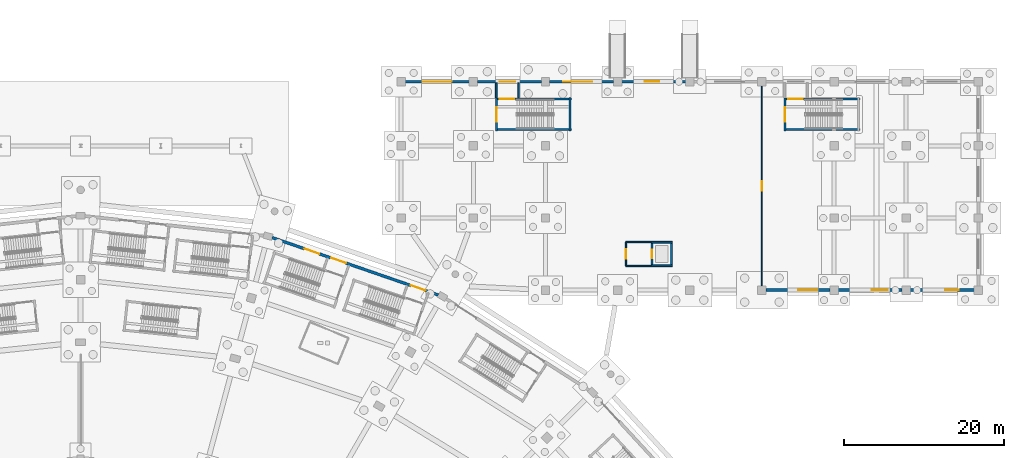
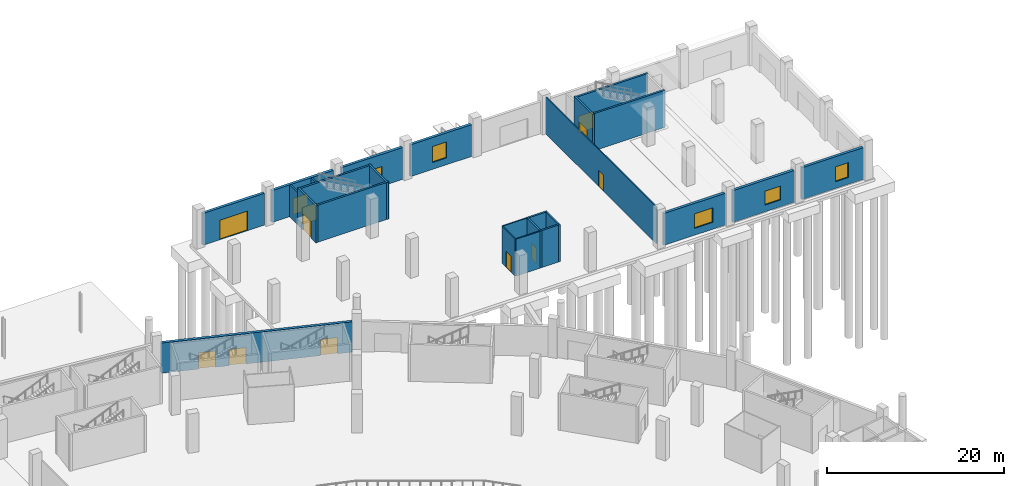
# One storey, part 48 of 103: 25 walls, 13 doors, 4 windows, 17 openings.
"""IFC4 building model written with IfcOpenShell, lengths in metres."""

import ifcopenshell
import ifcopenshell.guid

model = None  # the IFC model being written
_history = None  # IfcOwnerHistory: only IFC2X3 demands one
_inside = {}  # id of a spatial element -> (the spatial element, [elements in it])
_under = {}  # id of a project, library or spatial element -> (it, [spatial elements below it])
_declared = {}  # id of a project -> (the project, [libraries it declares])
_typed = {}  # id of a type object -> (the type object, [elements of that type])
_made_of = {}  # id of a material, layer set ... -> (it, [elements and type objects made of it])


def new_model(schema):
    """Start an empty IFC model of exactly this schema.

    Asked for "IFC4X3", IfcOpenShell would pick the latest addendum, in which some entities
    have other attributes; the version numbers below select the first issue.
    IFC2X3 requires an IfcOwnerHistory on every rooted entity: one is made here for all.
    """
    global model, _history
    if schema == "IFC4X3":
        model = ifcopenshell.file(schema_version=(4, 3, 0, 0))
    else:
        model = ifcopenshell.file(schema=schema)
    _inside.clear()
    _under.clear()
    _declared.clear()
    _typed.clear()
    _made_of.clear()
    _history = None
    if model.schema == "IFC2X3":
        org = make("IfcOrganization", Name="unknown")
        user = make(
            "IfcPersonAndOrganization",
            ThePerson=make("IfcPerson", FamilyName="unknown"),
            TheOrganization=org,
        )
        app = make(
            "IfcApplication",
            ApplicationDeveloper=org,
            Version="unknown",
            ApplicationFullName="unknown",
            ApplicationIdentifier="unknown",
        )
        _history = make(
            "IfcOwnerHistory",
            OwningUser=user,
            OwningApplication=app,
            ChangeAction="ADDED",
            CreationDate=0,
        )
    return model


def make(cls, **values):
    """One entity of the class cls with the attributes given. An attribute that is None is left unset."""
    return model.create_entity(
        cls, **{name: value for name, value in values.items() if value is not None}
    )


def rooted(cls, **values):
    """An entity with a GlobalId (a new one), such as an element, a storey or a relation."""
    return make(cls, GlobalId=ifcopenshell.guid.new(), OwnerHistory=_history, **values)


def si_unit(unit_type, name, prefix=None):
    """IfcSIUnit, for example si_unit("LENGTHUNIT", "METRE", prefix="MILLI")."""
    return make("IfcSIUnit", UnitType=unit_type, Prefix=prefix, Name=name)


def assignment(units):
    """IfcUnitAssignment: the units of a project."""
    return None if units is None else make("IfcUnitAssignment", Units=units)


def point(xyz):
    """IfcCartesianPoint."""
    return None if xyz is None else make("IfcCartesianPoint", Coordinates=xyz)


def direction(xyz):
    """IfcDirection."""
    return None if xyz is None else make("IfcDirection", DirectionRatios=xyz)


def frame(location, z_axis=None, x_axis=None):
    """IfcAxis2Placement3D, a coordinate frame: its origin and axes. An axis left out is left unset."""
    return make(
        "IfcAxis2Placement3D",
        Location=point(location),
        Axis=direction(z_axis),
        RefDirection=direction(x_axis),
    )


def frame_2d(location, x_axis=None):
    """IfcAxis2Placement2D, a coordinate frame in the plane: its origin and x axis."""
    return make(
        "IfcAxis2Placement2D", Location=point(location), RefDirection=direction(x_axis)
    )


def origin():
    """The frame at (0, 0, 0) with its axes left unset."""
    return frame((0.0, 0.0, 0.0))


def place(relative_to, where):
    """IfcLocalPlacement: puts the frame where relative to a parent placement (None: the world)."""
    return make(
        "IfcLocalPlacement", PlacementRelTo=relative_to, RelativePlacement=where
    )


def context(
    kind, dimensions, precision=None, world=None, true_north=None, identifier=None
):
    """IfcGeometricRepresentationContext, for example the 3D "Model" context."""
    return make(
        "IfcGeometricRepresentationContext",
        ContextIdentifier=identifier,
        ContextType=kind,
        CoordinateSpaceDimension=dimensions,
        Precision=precision,
        WorldCoordinateSystem=world,
        TrueNorth=true_north,
    )


def subcontext(parent, identifier, kind, view, scale=None):
    """IfcGeometricRepresentationSubContext, for example "Body" below "Model"."""
    return make(
        "IfcGeometricRepresentationSubContext",
        ContextIdentifier=identifier,
        ContextType=kind,
        ParentContext=parent,
        TargetScale=scale,
        TargetView=view,
    )


def project(units=None, contexts=None):
    """IfcProject with its units and contexts."""
    return rooted(
        "IfcProject",
        Name="project",
        RepresentationContexts=contexts,
        UnitsInContext=assignment(units),
    )


def spatial(cls, under=None, at=None, **own):
    """A site, building, storey or space (cls), placed at a placement, below another one or the project."""
    s = rooted(cls, ObjectPlacement=at, **own)
    if under is not None:
        _under.setdefault(under.id(), (under, []))[1].append(s)
    return s


def profile(cls, at=None, kind="AREA", **sizes):
    """A parametric profile (cls). Its sizes go by their IFC names, for example OverallWidth=200.0."""
    return make(cls, ProfileType=kind, Position=at, **sizes)


def rectangle(**sizes):
    """IfcRectangleProfileDef."""
    return profile("IfcRectangleProfileDef", **sizes)


def extrude(swept, where, along, depth):
    """IfcExtrudedAreaSolid: the profile swept, set in the frame where, extruded along a direction by depth."""
    return make(
        "IfcExtrudedAreaSolid",
        SweptArea=swept,
        Position=where,
        ExtrudedDirection=direction(along),
        Depth=depth,
    )


def shape(context_of_items, identifier, shape_type, items):
    """IfcShapeRepresentation: the items that make up one representation, for example the "Body"."""
    return make(
        "IfcShapeRepresentation",
        ContextOfItems=context_of_items,
        RepresentationIdentifier=identifier,
        RepresentationType=shape_type,
        Items=items,
    )


def material(Name=None, Category=None):
    """IfcMaterial."""
    return make("IfcMaterial", Name=Name, Category=Category)


def layer(
    of_material, thickness, ventilated=None, Name=None, Category=None, Priority=None
):
    """IfcMaterialLayer: one layer of a wall or slab, of a material (None: an air gap)."""
    return make(
        "IfcMaterialLayer",
        Material=of_material,
        LayerThickness=thickness,
        IsVentilated=ventilated,
        Name=Name,
        Category=Category,
        Priority=Priority,
    )


def layer_set(layers, Name=None):
    """IfcMaterialLayerSet."""
    return make("IfcMaterialLayerSet", MaterialLayers=layers, LayerSetName=Name)


def made_of(thing, what):
    """Note that an element or type object is made of a material, layer set ...; save() writes the relation."""
    if what is not None:
        _made_of.setdefault(what.id(), (what, []))[1].append(thing)
    return thing


def type_object(cls, material=None, **own):
    """A type object (cls), such as IfcWallType, which elements share."""
    return made_of(rooted(cls, **own), material)


def element(
    cls,
    number,
    at=None,
    inside=None,
    cuts=None,
    type_object=None,
    material=None,
    context=None,
    identifier="Body",
    shape_type=None,
    held_by="IfcProductDefinitionShape",
    body=None,
    shapes=None,
    **own,
):
    """One element of the class cls, such as IfcWall. Its Tag is "e" and its number.

    at: its placement. inside: the storey or other place that contains it. cuts: it is an
    opening in that element (IfcRelVoidsElement). A single representation is given by context,
    identifier, shape_type and body (its items); several are given by shapes. held_by: the class
    of the entity that holds the representations. save() writes the other relations.
    """
    e = rooted(cls, Tag="e%d" % number, ObjectPlacement=at, **own)
    if body is not None:
        shapes = [shape(context, identifier, shape_type, body)]
    if shapes is not None:
        e.Representation = make(held_by, Representations=shapes)
    if inside is not None:
        _inside.setdefault(inside.id(), (inside, []))[1].append(e)
    if cuts is not None:
        rooted(
            "IfcRelVoidsElement", RelatingBuildingElement=cuts, RelatedOpeningElement=e
        )
    if type_object is not None:
        _typed.setdefault(type_object.id(), (type_object, []))[1].append(e)
    return made_of(e, material)


def fill(opening, filler):
    """IfcRelFillsElement: the door or window that sits in an opening."""
    return rooted(
        "IfcRelFillsElement",
        RelatingOpeningElement=opening,
        RelatedBuildingElement=filler,
    )


def aggregate(whole, parts):
    """IfcRelAggregates: a whole, such as a stair, and the parts it consists of."""
    return rooted("IfcRelAggregates", RelatingObject=whole, RelatedObjects=parts)


def save(model, path):
    """Write the relations noted so far, then the file.

    IfcRelAggregates (storeys below a building ...), IfcRelContainedInSpatialStructure (elements
    in a storey), IfcRelDefinesByType, IfcRelAssociatesMaterial and IfcRelDeclares: one each for
    every whole, place, type object, material and project.
    """
    for whole, parts in _under.values():
        aggregate(whole, parts)
    for where, things in _inside.values():
        rooted(
            "IfcRelContainedInSpatialStructure",
            RelatedElements=things,
            RelatingStructure=where,
        )
    for kind, things in _typed.values():
        rooted("IfcRelDefinesByType", RelatedObjects=things, RelatingType=kind)
    for what, things in _made_of.values():
        rooted("IfcRelAssociatesMaterial", RelatedObjects=things, RelatingMaterial=what)
    for by, libraries in _declared.values():
        rooted("IfcRelDeclares", RelatingContext=by, RelatedDefinitions=libraries)
    model.write(path)


model = new_model("IFC4")

# Units and contexts
model_context = context("Model", 3, precision=1e-05, world=origin(), true_north=direction((0.0, 1.0)))
body_context = subcontext(model_context, "Body", "Model", "MODEL_VIEW")
ifc_project = project(units=[si_unit("LENGTHUNIT", "METRE"), si_unit("AREAUNIT", "SQUARE_METRE"), si_unit("VOLUMEUNIT", "CUBIC_METRE"), si_unit("PLANEANGLEUNIT", "RADIAN"), si_unit("MASSUNIT", "GRAM", prefix="KILO")], contexts=[model_context])

# Site, building, storey
site_placement = place(None, origin())
site = spatial("IfcSite", under=ifc_project, at=site_placement, CompositionType="ELEMENT")
building_placement = place(site_placement, origin())
building = spatial("IfcBuilding", under=site, at=building_placement, Name="Zevraka Park Crest Stadium", CompositionType="ELEMENT")
storey_placement = place(building_placement, origin())
storey = spatial("IfcBuildingStorey", under=building, at=storey_placement, Name="L00", CompositionType="ELEMENT", Elevation=0.0)

# Wall, openings, doors
ifc_material_1 = material(Name="Limestone and red clay brick masonry", Category="masonry")
ifc_layer_1 = layer(ifc_material_1, 0.35009765625)
ifc_layer_set_1 = layer_set([ifc_layer_1], Name="Limestone and red clay brick masonry")
wall_type_1 = type_object("IfcWallType", Name="EW01", PredefinedType="STANDARD", material=ifc_layer_set_1)
wall_1_placement = place(storey_placement, frame((135.868896484375, 164.56201171875, 0.0), z_axis=(0.0, 0.0, 1.0), x_axis=(0.945215757663, -0.326446276538, 0.0)))
wall_1 = element("IfcWall", 1, at=wall_1_placement, inside=storey, type_object=wall_type_1, Name="L00 Pointed-Arch Colonnade Wall EW01 04", PredefinedType="STANDARD", context=body_context, shape_type="SweptSolid", body=[
    extrude(rectangle(XDim=21.979248046875, YDim=0.35009765625, at=frame_2d((10.98974609375, 0.0))), origin(), (0.0, 0.0, 1.0), 4.1650390625),
])
opening_1_placement = place(wall_1_placement, frame((18.318115234375, 0.0, 0.0)))
opening_1 = element("IfcOpeningElement", 2, at=opening_1_placement, cuts=wall_1, Name="Opening D-L00-EX-ST05", PredefinedType="OPENING", context=body_context, shape_type="SweptSolid", body=[
    extrude(rectangle(XDim=1.949951171875, YDim=2.25, at=frame_2d((0.97509765625, 1.125))), frame((0.0, 0.18505859375, 0.0), z_axis=(0.0, -1.0, 0.0), x_axis=(1.0, 0.0, 0.0)), (0.0, 0.0, 1.0), 0.3701171875),
])
opening_2_placement = place(wall_1_placement, frame((7.818115234375, 0.0, 0.0)))
opening_2 = element("IfcOpeningElement", 3, at=opening_2_placement, cuts=wall_1, Name="Opening D-L00-EX-ST25", PredefinedType="OPENING", context=body_context, shape_type="SweptSolid", body=[
    extrude(rectangle(XDim=1.949951171875, YDim=2.25, at=frame_2d((0.97509765625, 1.125))), frame((0.0, 0.18505859375, 0.0), z_axis=(0.0, -1.0, 0.0), x_axis=(1.0, 0.0, 0.0)), (0.0, 0.0, 1.0), 0.3701171875),
])
opening_3_placement = place(wall_1_placement, frame((4.300048828125, 0.0, 0.0)))
opening_3 = element("IfcOpeningElement", 4, at=opening_3_placement, cuts=wall_1, Name="Opening D-L00-E05", PredefinedType="OPENING", context=body_context, shape_type="SweptSolid", body=[
    extrude(rectangle(XDim=1.949951171875, YDim=2.25, at=frame_2d((0.97509765625, 1.125))), frame((0.0, 0.18505859375, 0.0), z_axis=(0.0, -1.0, 0.0), x_axis=(1.0, 0.0, 0.0)), (0.0, 0.0, 1.0), 0.3701171875),
])
ifc_material_2 = material(Name="Thermally broken architectural aluminium and safety glass", Category="aluminium")
door_type_1 = type_object("IfcDoorType", Name="ED05", OperationType="NOTDEFINED", PredefinedType="DOOR", material=ifc_material_2)
door_1_placement = place(opening_1_placement, origin())
door_1 = element("IfcDoor", 5, at=door_1_placement, inside=storey, type_object=door_type_1, Name="Stair Final Exit Discharge Door D-L00-EX-ST05", OperationType="DOUBLE_DOOR_SINGLE_SWING", OverallHeight=2.25, OverallWidth=1.949951171875, PredefinedType="DOOR", context=body_context, shape_type="SweptSolid", body=[
    extrude(rectangle(XDim=1.949951171875, YDim=2.25, at=frame_2d((0.97509765625, 1.125))), frame((0.0, 0.02490234375, 0.0), z_axis=(0.0, -1.0, 0.0), x_axis=(1.0, 0.0, 0.0)), (0.0, 0.0, 1.0), 0.050048828125),
])
fill(opening_1, door_1)
door_2_placement = place(opening_2_placement, origin())
door_2 = element("IfcDoor", 6, at=door_2_placement, inside=storey, type_object=door_type_1, Name="Stair Final Exit Discharge Door D-L00-EX-ST25", OperationType="DOUBLE_DOOR_SINGLE_SWING", OverallHeight=2.25, OverallWidth=1.949951171875, PredefinedType="DOOR", context=body_context, shape_type="SweptSolid", body=[
    extrude(rectangle(XDim=1.949951171875, YDim=2.25, at=frame_2d((0.97509765625, 1.125))), frame((0.0, 0.02490234375, 0.0), z_axis=(0.0, -1.0, 0.0), x_axis=(1.0, 0.0, 0.0)), (0.0, 0.0, 1.0), 0.050048828125),
])
fill(opening_2, door_2)
door_3_placement = place(opening_3_placement, origin())
door_3 = element("IfcDoor", 7, at=door_3_placement, inside=storey, type_object=door_type_1, Name="Concourse Final Exit E05", OperationType="DOUBLE_DOOR_SINGLE_SWING", OverallHeight=2.25, OverallWidth=1.949951171875, PredefinedType="DOOR", context=body_context, shape_type="SweptSolid", body=[
    extrude(rectangle(XDim=1.949951171875, YDim=2.25, at=frame_2d((0.97509765625, 1.125))), frame((0.0, 0.02490234375, 0.0), z_axis=(0.0, -1.0, 0.0), x_axis=(1.0, 0.0, 0.0)), (0.0, 0.0, 1.0), 0.050048828125),
])
fill(opening_3, door_3)

# Wall, opening, door
wall_2_placement = place(storey_placement, frame((152.5, 184.0, 0.0), z_axis=(0.0, 0.0, 1.0), x_axis=(1.0, 0.0, 0.0)))
wall_2 = element("IfcWall", 8, at=wall_2_placement, inside=storey, type_object=wall_type_1, Name="Wing External Cavity Wall EW01 L00-NGATE-N-1", PredefinedType="STANDARD", context=body_context, shape_type="SweptSolid", body=[
    extrude(rectangle(XDim=8.0, YDim=0.35009765625, at=frame_2d((4.0, 0.0))), origin(), (0.0, 0.0, 1.0), 4.383544921875),
])
opening_4_placement = place(wall_2_placement, frame((2.199951171875, 0.0, 0.0)))
opening_4 = element("IfcOpeningElement", 9, at=opening_4_placement, cuts=wall_2, Name="Opening D-L00-E25", PredefinedType="OPENING", context=body_context, shape_type="SweptSolid", body=[
    extrude(rectangle(XDim=3.60009765625, YDim=2.699951171875, at=frame_2d((1.800048828125, 1.35009765625))), frame((0.0, 0.18505859375, 0.0), z_axis=(0.0, -1.0, 0.0), x_axis=(1.0, 0.0, 0.0)), (0.0, 0.0, 1.0), 0.3701171875),
])
ifc_material_3 = material(Name="Thermally broken architectural aluminium and safety glass", Category="aluminium")
door_type_2 = type_object("IfcDoorType", Name="ED01", OperationType="NOTDEFINED", PredefinedType="DOOR", material=ifc_material_3)
door_4_placement = place(opening_4_placement, origin())
door_4 = element("IfcDoor", 10, at=door_4_placement, inside=storey, type_object=door_type_2, Name="Concourse Final Exit E25", OperationType="DOUBLE_DOOR_SINGLE_SWING", OverallHeight=2.699951171875, OverallWidth=3.60009765625, PredefinedType="DOOR", context=body_context, shape_type="SweptSolid", body=[
    extrude(rectangle(XDim=3.60009765625, YDim=2.699951171875, at=frame_2d((1.800048828125, 1.35009765625))), frame((0.0, 0.02490234375, 0.0), z_axis=(0.0, -1.0, 0.0), x_axis=(1.0, 0.0, 0.0)), (0.0, 0.0, 1.0), 0.050048828125),
])
fill(opening_4, door_4)

wall_3_placement = place(storey_placement, frame((161.5, 184.0, 0.0), z_axis=(0.0, 0.0, 1.0), x_axis=(1.0, 0.0, 0.0)))
wall_3 = element("IfcWall", 11, at=wall_3_placement, inside=storey, type_object=wall_type_1, Name="Wing External Cavity Wall EW01 L00-NGATE-N-2", PredefinedType="STANDARD", context=body_context, shape_type="SweptSolid", body=[
    extrude(rectangle(XDim=8.0, YDim=0.35009765625, at=frame_2d((4.0, 0.0))), origin(), (0.0, 0.0, 1.0), 4.383544921875),
])
opening_5_placement = place(wall_3_placement, frame((2.77490234375, 0.0, 0.0)))
opening_5 = element("IfcOpeningElement", 12, at=opening_5_placement, cuts=wall_3, Name="Opening D-L00-EX-ST46", PredefinedType="OPENING", context=body_context, shape_type="SweptSolid", body=[
    extrude(rectangle(XDim=1.949951171875, YDim=2.25, at=frame_2d((0.97509765625, 1.125))), frame((0.0, 0.18505859375, 0.0), z_axis=(0.0, -1.0, 0.0), x_axis=(1.0, 0.0, 0.0)), (0.0, 0.0, 1.0), 0.3701171875),
])
door_5_placement = place(opening_5_placement, origin())
door_5 = element("IfcDoor", 13, at=door_5_placement, inside=storey, type_object=door_type_1, Name="Stair Final Exit Discharge Door D-L00-EX-ST46", OperationType="DOUBLE_DOOR_SINGLE_SWING", OverallHeight=2.25, OverallWidth=1.949951171875, PredefinedType="DOOR", context=body_context, shape_type="SweptSolid", body=[
    extrude(rectangle(XDim=1.949951171875, YDim=2.25, at=frame_2d((0.97509765625, 1.125))), frame((0.0, 0.02490234375, 0.0), z_axis=(0.0, -1.0, 0.0), x_axis=(1.0, 0.0, 0.0)), (0.0, 0.0, 1.0), 0.050048828125),
])
fill(opening_5, door_5)

wall_4_placement = place(storey_placement, frame((170.5, 184.0, 0.0), z_axis=(0.0, 0.0, 1.0), x_axis=(1.0, 0.0, 0.0)))
wall_4 = element("IfcWall", 14, at=wall_4_placement, inside=storey, type_object=wall_type_1, Name="Wing External Cavity Wall EW01 L00-NGATE-N-3", PredefinedType="STANDARD", context=body_context, shape_type="SweptSolid", body=[
    extrude(rectangle(XDim=8.0, YDim=0.35009765625, at=frame_2d((4.0, 0.0))), origin(), (0.0, 0.0, 1.0), 4.383544921875),
])
opening_6_placement = place(wall_4_placement, frame((1.699951171875, 0.0, 0.0)))
opening_6 = element("IfcOpeningElement", 15, at=opening_6_placement, cuts=wall_4, Name="Opening D-L00-E26", PredefinedType="OPENING", context=body_context, shape_type="SweptSolid", body=[
    extrude(rectangle(XDim=3.60009765625, YDim=2.699951171875, at=frame_2d((1.800048828125, 1.35009765625))), frame((0.0, 0.18505859375, 0.0), z_axis=(0.0, -1.0, 0.0), x_axis=(1.0, 0.0, 0.0)), (0.0, 0.0, 1.0), 0.3701171875),
])
door_6_placement = place(opening_6_placement, origin())
door_6 = element("IfcDoor", 16, at=door_6_placement, inside=storey, type_object=door_type_2, Name="Concourse Final Exit E26", OperationType="DOUBLE_DOOR_SINGLE_SWING", OverallHeight=2.699951171875, OverallWidth=3.60009765625, PredefinedType="DOOR", context=body_context, shape_type="SweptSolid", body=[
    extrude(rectangle(XDim=3.60009765625, YDim=2.699951171875, at=frame_2d((1.800048828125, 1.35009765625))), frame((0.0, 0.02490234375, 0.0), z_axis=(0.0, -1.0, 0.0), x_axis=(1.0, 0.0, 0.0)), (0.0, 0.0, 1.0), 0.050048828125),
])
fill(opening_6, door_6)

# Wall, opening, window
wall_5_placement = place(storey_placement, frame((179.5, 184.0, 0.0), z_axis=(0.0, 0.0, 1.0), x_axis=(1.0, 0.0, 0.0)))
wall_5 = element("IfcWall", 17, at=wall_5_placement, inside=storey, type_object=wall_type_1, Name="Wing External Cavity Wall EW01 L00-NGATE-N-4", PredefinedType="STANDARD", context=body_context, shape_type="SweptSolid", body=[
    extrude(rectangle(XDim=8.0, YDim=0.35009765625, at=frame_2d((4.0, 0.0))), origin(), (0.0, 0.0, 1.0), 4.383544921875),
])
opening_7_placement = place(wall_5_placement, frame((2.89990234375, 0.0, 0.949951171875)))
opening_7 = element("IfcOpeningElement", 18, at=opening_7_placement, cuts=wall_5, Name="Opening WN01", PredefinedType="OPENING", context=body_context, shape_type="SweptSolid", body=[
    extrude(rectangle(XDim=1.800048828125, YDim=2.199951171875, at=frame_2d((0.89990234375, 1.10009765625))), frame((0.0, 0.18505859375, 0.0), z_axis=(0.0, -1.0, 0.0), x_axis=(1.0, 0.0, 0.0)), (0.0, 0.0, 1.0), 0.3701171875),
])
ifc_material_4 = material(Name="Solar-control laminated double glazing in aluminium frame", Category="aluminium")
window_type_1 = type_object("IfcWindowType", Name="WN01", PartitioningType="SINGLE_PANEL", PredefinedType="WINDOW", material=ifc_material_4)
window_1_placement = place(opening_7_placement, origin())
window_1 = element("IfcWindow", 19, at=window_1_placement, inside=storey, type_object=window_type_1, Name="Facade Casement Window WN01 W-L00-001", OverallHeight=2.199951171875, OverallWidth=1.800048828125, PartitioningType="SINGLE_PANEL", PredefinedType="WINDOW", context=body_context, shape_type="SweptSolid", body=[
    extrude(rectangle(XDim=1.800048828125, YDim=2.199951171875, at=frame_2d((0.89990234375, 1.10009765625))), frame((0.0, 0.030029296875, 0.0), z_axis=(0.0, -1.0, 0.0), x_axis=(1.0, 0.0, 0.0)), (0.0, 0.0, 1.0), 0.06005859375),
])
fill(opening_7, window_1)

wall_6_placement = place(storey_placement, frame((223.5, 158.0, 0.0), z_axis=(0.0, 0.0, 1.0), x_axis=(-1.0, 0.0, 0.0)))
wall_6 = element("IfcWall", 20, at=wall_6_placement, inside=storey, type_object=wall_type_1, Name="Wing External Cavity Wall EW01 L00-NGATE-S-1", PredefinedType="STANDARD", context=body_context, shape_type="SweptSolid", body=[
    extrude(rectangle(XDim=8.0, YDim=0.35009765625, at=frame_2d((4.0, 0.0))), origin(), (0.0, 0.0, 1.0), 4.383544921875),
])
opening_8_placement = place(wall_6_placement, frame((1.97509765625, 0.0, 0.949951171875)))
opening_8 = element("IfcOpeningElement", 21, at=opening_8_placement, cuts=wall_6, Name="Opening WN19", PredefinedType="OPENING", context=body_context, shape_type="SweptSolid", body=[
    extrude(rectangle(XDim=1.64990234375, YDim=2.050048828125, at=frame_2d((0.824951171875, 1.02490234375))), frame((0.0, 0.18505859375, 0.0), z_axis=(0.0, -1.0, 0.0), x_axis=(1.0, 0.0, 0.0)), (0.0, 0.0, 1.0), 0.3701171875),
])
ifc_material_5 = material(Name="Solar-control laminated double glazing in aluminium frame", Category="aluminium")
window_type_2 = type_object("IfcWindowType", Name="WN19", PartitioningType="SINGLE_PANEL", PredefinedType="WINDOW", material=ifc_material_5)
window_2_placement = place(opening_8_placement, origin())
window_2 = element("IfcWindow", 22, at=window_2_placement, inside=storey, type_object=window_type_2, Name="Facade Casement Window WN19 W-L00-019", OverallHeight=2.050048828125, OverallWidth=1.64990234375, PartitioningType="SINGLE_PANEL", PredefinedType="WINDOW", context=body_context, shape_type="SweptSolid", body=[
    extrude(rectangle(XDim=1.64990234375, YDim=2.050048828125, at=frame_2d((0.824951171875, 1.02490234375))), frame((0.0, 0.030029296875, 0.0), z_axis=(0.0, -1.0, 0.0), x_axis=(1.0, 0.0, 0.0)), (0.0, 0.0, 1.0), 0.06005859375),
])
fill(opening_8, window_2)

wall_7_placement = place(storey_placement, frame((214.5, 158.0, 0.0), z_axis=(0.0, 0.0, 1.0), x_axis=(-1.0, 0.0, 0.0)))
wall_7 = element("IfcWall", 23, at=wall_7_placement, inside=storey, type_object=wall_type_1, Name="Wing External Cavity Wall EW01 L00-NGATE-S-2", PredefinedType="STANDARD", context=body_context, shape_type="SweptSolid", body=[
    extrude(rectangle(XDim=8.0, YDim=0.35009765625, at=frame_2d((4.0, 0.0))), origin(), (0.0, 0.0, 1.0), 4.383544921875),
])
opening_9_placement = place(wall_7_placement, frame((1.800048828125, 0.0, 0.949951171875)))
opening_9 = element("IfcOpeningElement", 24, at=opening_9_placement, cuts=wall_7, Name="Opening WN20", PredefinedType="OPENING", context=body_context, shape_type="SweptSolid", body=[
    extrude(rectangle(XDim=2.0, YDim=1.89990234375, at=frame_2d((1.0, 0.949951171875))), frame((0.0, 0.18505859375, 0.0), z_axis=(0.0, -1.0, 0.0), x_axis=(1.0, 0.0, 0.0)), (0.0, 0.0, 1.0), 0.3701171875),
])
ifc_material_6 = material(Name="Solar-control laminated double glazing in aluminium frame", Category="aluminium")
window_type_3 = type_object("IfcWindowType", Name="WN20", PartitioningType="SINGLE_PANEL", PredefinedType="WINDOW", material=ifc_material_6)
window_3_placement = place(opening_9_placement, origin())
window_3 = element("IfcWindow", 25, at=window_3_placement, inside=storey, type_object=window_type_3, Name="Facade Casement Window WN20 W-L00-020", OverallHeight=1.89990234375, OverallWidth=2.0, PartitioningType="SINGLE_PANEL", PredefinedType="WINDOW", context=body_context, shape_type="SweptSolid", body=[
    extrude(rectangle(XDim=2.0, YDim=1.89990234375, at=frame_2d((1.0, 0.949951171875))), frame((0.0, 0.030029296875, 0.0), z_axis=(0.0, -1.0, 0.0), x_axis=(1.0, 0.0, 0.0)), (0.0, 0.0, 1.0), 0.06005859375),
])
fill(opening_9, window_3)

wall_8_placement = place(storey_placement, frame((205.5, 158.0, 0.0), z_axis=(0.0, 0.0, 1.0), x_axis=(-1.0, 0.0, 0.0)))
wall_8 = element("IfcWall", 26, at=wall_8_placement, inside=storey, type_object=wall_type_1, Name="Wing External Cavity Wall EW01 L00-NGATE-S-3", PredefinedType="STANDARD", context=body_context, shape_type="SweptSolid", body=[
    extrude(rectangle(XDim=8.0, YDim=0.35009765625, at=frame_2d((4.0, 0.0))), origin(), (0.0, 0.0, 1.0), 4.383544921875),
])
opening_10_placement = place(wall_8_placement, frame((1.625, 0.0, 0.949951171875)))
opening_10 = element("IfcOpeningElement", 27, at=opening_10_placement, cuts=wall_8, Name="Opening WN21", PredefinedType="OPENING", context=body_context, shape_type="SweptSolid", body=[
    extrude(rectangle(XDim=2.35009765625, YDim=2.0, at=frame_2d((1.175048828125, 1.0))), frame((0.0, 0.18505859375, 0.0), z_axis=(0.0, -1.0, 0.0), x_axis=(1.0, 0.0, 0.0)), (0.0, 0.0, 1.0), 0.3701171875),
])
ifc_material_7 = material(Name="Solar-control laminated double glazing in aluminium frame", Category="aluminium")
window_type_4 = type_object("IfcWindowType", Name="WN21", PartitioningType="SINGLE_PANEL", PredefinedType="WINDOW", material=ifc_material_7)
window_4_placement = place(opening_10_placement, origin())
window_4 = element("IfcWindow", 28, at=window_4_placement, inside=storey, type_object=window_type_4, Name="Facade Casement Window WN21 W-L00-021", OverallHeight=2.0, OverallWidth=2.35009765625, PartitioningType="SINGLE_PANEL", PredefinedType="WINDOW", context=body_context, shape_type="SweptSolid", body=[
    extrude(rectangle(XDim=2.35009765625, YDim=2.0, at=frame_2d((1.175048828125, 1.0))), frame((0.0, 0.030029296875, 0.0), z_axis=(0.0, -1.0, 0.0), x_axis=(1.0, 0.0, 0.0)), (0.0, 0.0, 1.0), 0.06005859375),
])
fill(opening_10, window_4)

# Walls
ifc_material_8 = material(Name="Autoclaved aerated masonry blockwork", Category="masonry")
ifc_layer_2 = layer(ifc_material_8, 0.199951171875)
ifc_layer_set_2 = layer_set([ifc_layer_2], Name="Autoclaved aerated masonry blockwork")
wall_type_2 = type_object("IfcWallType", Name="IW01", PredefinedType="PARTITIONING", material=ifc_layer_set_2)
for number, where, z_axis, x_axis, name in (
    (29, (163.85009765625, 182.0, 0.0), (0.0, 0.0, 1.0), (0.0, 1.0, 0.0), "Protected Exit Passageway Wall IW01 ST46-A"),
    (30, (166.64990234375, 182.0, 0.0), (0.0, 0.0, 1.0), (0.0, 1.0, 0.0), "Protected Exit Passageway Wall IW01 ST46-B"),
):
    element("IfcWall", number, at=place(storey_placement, frame(where, z_axis=z_axis, x_axis=x_axis)), inside=storey, type_object=wall_type_2, Name=name, PredefinedType="PARTITIONING", context=body_context, shape_type="SweptSolid", body=[
        extrude(rectangle(XDim=1.844970703125, YDim=0.199951171875, at=frame_2d((0.92236328125, 0.0))), origin(), (0.0, 0.0, 1.0), 4.383544921875),
    ])
ifc_material_9 = material(Name="Fire-rated twin-stud acoustic drywall", Category="other")
ifc_layer_3 = layer(ifc_material_9, 0.159912109375)
ifc_layer_set_3 = layer_set([ifc_layer_3], Name="Fire-rated twin-stud acoustic drywall")
wall_type_3 = type_object("IfcWallType", Name="IW02", PredefinedType="PARTITIONING", material=ifc_layer_set_3)
for number, where, z_axis, x_axis, name in (
    (31, (183.199951171875, 163.989990234375, 0.0), (0.0, 0.0, 1.0), (-1.0, 0.0, 0.0), "Passenger Lift Lobby Wall IW02 PL04 L00 LEFT"),
    (32, (183.199951171875, 161.010009765625, 0.0), (0.0, 0.0, 1.0), (-1.0, 0.0, 0.0), "Passenger Lift Lobby Wall IW02 PL04 L00 RIGHT"),
):
    element("IfcWall", number, at=place(storey_placement, frame(where, z_axis=z_axis, x_axis=x_axis)), inside=storey, type_object=wall_type_3, Name=name, PredefinedType="PARTITIONING", context=body_context, shape_type="SweptSolid", body=[
        extrude(rectangle(XDim=3.169921875, YDim=0.159912109375, at=frame_2d((1.5849609375, 0.0))), origin(), (0.0, 0.0, 1.0), 5.080078125),
    ])

# Wall, opening, door
wall_9_placement = place(storey_placement, frame((180.030029296875, 163.989990234375, 0.0), z_axis=(0.0, 0.0, 1.0), x_axis=(0.0, -1.0, 0.0)))
wall_9 = element("IfcWall", 33, at=wall_9_placement, inside=storey, type_object=wall_type_3, Name="Passenger Lift Lobby Wall IW02 PL04 L00 FRONT", PredefinedType="PARTITIONING", context=body_context, shape_type="SweptSolid", body=[
    extrude(rectangle(XDim=2.97998046875, YDim=0.159912109375, at=frame_2d((1.489990234375, 0.0))), origin(), (0.0, 0.0, 1.0), 5.080078125),
])
opening_11_placement = place(wall_9_placement, frame((0.9150390625, 0.0, 0.0)))
opening_11 = element("IfcOpeningElement", 34, at=opening_11_placement, cuts=wall_9, Name="Opening D-L00-325", PredefinedType="OPENING", context=body_context, shape_type="SweptSolid", body=[
    extrude(rectangle(XDim=1.14990234375, YDim=2.199951171875, at=frame_2d((0.574951171875, 1.10009765625))), frame((0.0, 0.08984375, 0.0), z_axis=(0.0, -1.0, 0.0), x_axis=(1.0, 0.0, 0.0)), (0.0, 0.0, 1.0), 0.179931640625),
])
ifc_material_10 = material(Name="Solid-core hardwood timber leaf in steel frame", Category="steel")
door_type_3 = type_object("IfcDoorType", Name="DR03", OperationType="NOTDEFINED", PredefinedType="DOOR", material=ifc_material_10)
door_7_placement = place(opening_11_placement, origin())
door_7 = element("IfcDoor", 35, at=door_7_placement, inside=storey, type_object=door_type_3, Name="Passenger Lift Lobby PL04 Door D-L00-325", OperationType="SINGLE_SWING_LEFT", OverallHeight=2.199951171875, OverallWidth=1.14990234375, PredefinedType="DOOR", context=body_context, shape_type="SweptSolid", body=[
    extrude(rectangle(XDim=1.14990234375, YDim=2.199951171875, at=frame_2d((0.574951171875, 1.10009765625))), frame((0.0, 0.02490234375, 0.0), z_axis=(0.0, -1.0, 0.0), x_axis=(1.0, 0.0, 0.0)), (0.0, 0.0, 1.0), 0.050048828125),
])
fill(opening_11, door_7)

ifc_material_11 = material(Name="Fire-rated twin-stud acoustic drywall", Category="other")
ifc_layer_4 = layer(ifc_material_11, 0.139892578125)
ifc_layer_set_4 = layer_set([ifc_layer_4], Name="Fire-rated twin-stud acoustic drywall")
wall_type_4 = type_object("IfcWallType", Name="IW03", PredefinedType="PARTITIONING", material=ifc_layer_set_4)
wall_10_placement = place(storey_placement, frame((197.0, 158.510009765625, 0.0), z_axis=(0.0, 0.0, 1.0), x_axis=(0.0, 1.0, 0.0)))
wall_10 = element("IfcWall", 36, at=wall_10_placement, inside=storey, type_object=wall_type_4, Name="Interior Partition IW03 Supporter Shop L00", PredefinedType="PARTITIONING", context=body_context, shape_type="SweptSolid", body=[
    extrude(rectangle(XDim=24.97998046875, YDim=0.139892578125, at=frame_2d((12.489990234375, 0.0))), origin(), (0.0, 0.0, 1.0), 5.080078125),
])
opening_12_placement = place(wall_10_placement, frame((11.9150390625, 0.0, 0.0)))
opening_12 = element("IfcOpeningElement", 37, at=opening_12_placement, cuts=wall_10, Name="Opening D-L00-356", PredefinedType="OPENING", context=body_context, shape_type="SweptSolid", body=[
    extrude(rectangle(XDim=1.14990234375, YDim=2.199951171875, at=frame_2d((0.574951171875, 1.10009765625))), frame((0.0, 0.079833984375, 0.0), z_axis=(0.0, -1.0, 0.0), x_axis=(1.0, 0.0, 0.0)), (0.0, 0.0, 1.0), 0.159912109375),
])
door_8_placement = place(opening_12_placement, origin())
door_8 = element("IfcDoor", 38, at=door_8_placement, inside=storey, type_object=door_type_3, Name="Supporter Shop Door D-L00-356", OperationType="SINGLE_SWING_RIGHT", OverallHeight=2.199951171875, OverallWidth=1.14990234375, PredefinedType="DOOR", context=body_context, shape_type="SweptSolid", body=[
    extrude(rectangle(XDim=1.14990234375, YDim=2.199951171875, at=frame_2d((0.574951171875, 1.10009765625))), frame((0.0, 0.02490234375, 0.0), z_axis=(0.0, -1.0, 0.0), x_axis=(1.0, 0.0, 0.0)), (0.0, 0.0, 1.0), 0.050048828125),
])
fill(opening_12, door_8)

# Wall
ifc_material_12 = material(Name="Concrete C40/50", Category="concrete")
ifc_layer_5 = layer(ifc_material_12, 0.25)
ifc_layer_set_5 = layer_set([ifc_layer_5], Name="Concrete C40/50")
wall_type_5 = type_object("IfcWallType", Name="SW01", PredefinedType="SHEAR", material=ifc_layer_set_5)
wall_11_placement = place(storey_placement, frame((199.75, 178.010009765625, 0.0), z_axis=(0.0, 0.0, 1.0), x_axis=(1.0, 0.0, 0.0)))
element("IfcWall", 39, at=wall_11_placement, inside=storey, type_object=wall_type_5, Name="Stair Core Shear Wall SW01 ST45 L00 left", PredefinedType="SHEAR", context=body_context, shape_type="SweptSolid", body=[
    extrude(rectangle(XDim=9.5, YDim=0.25, at=frame_2d((4.75, 0.0))), origin(), (0.0, 0.0, 1.0), 5.10009765625),
])

# Wall, opening, door
wall_12_placement = place(storey_placement, frame((199.75, 181.830078125, 0.0), z_axis=(0.0, 0.0, 1.0), x_axis=(1.0, 0.0, 0.0)))
wall_12 = element("IfcWall", 40, at=wall_12_placement, inside=storey, type_object=wall_type_5, Name="Stair Core Shear Wall SW01 ST45 L00 right", PredefinedType="SHEAR", context=body_context, shape_type="SweptSolid", body=[
    extrude(rectangle(XDim=9.5, YDim=0.25, at=frame_2d((4.75, 0.0))), origin(), (0.0, 0.0, 1.0), 5.10009765625),
])
opening_13_placement = place(wall_12_placement, frame((0.510009765625, 0.0, 0.0)))
opening_13 = element("IfcOpeningElement", 41, at=opening_13_placement, cuts=wall_12, Name="Opening D-L00-234", PredefinedType="OPENING", context=body_context, shape_type="SweptSolid", body=[
    extrude(rectangle(XDim=1.85009765625, YDim=2.300048828125, at=frame_2d((0.925048828125, 1.14990234375))), frame((0.0, 0.135009765625, 0.0), z_axis=(0.0, -1.0, 0.0), x_axis=(1.0, 0.0, 0.0)), (0.0, 0.0, 1.0), 0.27001953125),
])
ifc_material_13 = material(Name="Solid-core hardwood timber leaf in steel frame", Category="steel")
door_type_4 = type_object("IfcDoorType", Name="DR05", OperationType="NOTDEFINED", PredefinedType="DOOR", material=ifc_material_13)
door_9_placement = place(opening_13_placement, origin())
door_9 = element("IfcDoor", 42, at=door_9_placement, inside=storey, type_object=door_type_4, Name="Stair Exit Discharge Door ST45", OperationType="DOUBLE_DOOR_SINGLE_SWING", OverallHeight=2.300048828125, OverallWidth=1.85009765625, PredefinedType="DOOR", context=body_context, shape_type="SweptSolid", body=[
    extrude(rectangle(XDim=1.85009765625, YDim=2.300048828125, at=frame_2d((0.925048828125, 1.14990234375))), frame((0.0, 0.02490234375, 0.0), z_axis=(0.0, -1.0, 0.0), x_axis=(1.0, 0.0, 0.0)), (0.0, 0.0, 1.0), 0.050048828125),
])
fill(opening_13, door_9)

wall_13_placement = place(storey_placement, frame((199.875, 182.0, 0.0), z_axis=(0.0, 0.0, 1.0), x_axis=(0.0, -1.0, 0.0)))
wall_13 = element("IfcWall", 43, at=wall_13_placement, inside=storey, type_object=wall_type_5, Name="Stair Core Shear Wall SW01 ST45 L00 near", PredefinedType="SHEAR", context=body_context, shape_type="SweptSolid", body=[
    extrude(rectangle(XDim=4.159912109375, YDim=0.25, at=frame_2d((2.080078125, 0.0))), origin(), (0.0, 0.0, 1.0), 5.10009765625),
])
opening_14_placement = place(wall_13_placement, frame((1.179931640625, 0.0, 0.0)))
opening_14 = element("IfcOpeningElement", 44, at=opening_14_placement, cuts=wall_13, Name="Opening D-L00-233", PredefinedType="OPENING", context=body_context, shape_type="SweptSolid", body=[
    extrude(rectangle(XDim=1.800048828125, YDim=2.25, at=frame_2d((0.89990234375, 1.125))), frame((0.0, 0.135009765625, 0.0), z_axis=(0.0, -1.0, 0.0), x_axis=(1.0, 0.0, 0.0)), (0.0, 0.0, 1.0), 0.27001953125),
])
ifc_material_14 = material(Name="Solid-core hardwood timber leaf in steel frame", Category="steel")
door_type_5 = type_object("IfcDoorType", Name="DR04", OperationType="NOTDEFINED", PredefinedType="DOOR", material=ifc_material_14)
door_10_placement = place(opening_14_placement, origin())
door_10 = element("IfcDoor", 45, at=door_10_placement, inside=storey, type_object=door_type_5, Name="Protected Stair Entry Door ST45 L00", OperationType="DOUBLE_DOOR_SINGLE_SWING", OverallHeight=2.25, OverallWidth=1.800048828125, PredefinedType="DOOR", context=body_context, shape_type="SweptSolid", body=[
    extrude(rectangle(XDim=1.800048828125, YDim=2.25, at=frame_2d((0.89990234375, 1.125))), frame((0.0, 0.02490234375, 0.0), z_axis=(0.0, -1.0, 0.0), x_axis=(1.0, 0.0, 0.0)), (0.0, 0.0, 1.0), 0.050048828125),
])
fill(opening_14, door_10)

# Wall
wall_14_placement = place(storey_placement, frame((163.75, 178.010009765625, 0.0), z_axis=(0.0, 0.0, 1.0), x_axis=(1.0, 0.0, 0.0)))
element("IfcWall", 46, at=wall_14_placement, inside=storey, type_object=wall_type_5, Name="Stair Core Shear Wall SW01 ST46 L00 left", PredefinedType="SHEAR", context=body_context, shape_type="SweptSolid", body=[
    extrude(rectangle(XDim=9.5, YDim=0.25, at=frame_2d((4.75, 0.0))), origin(), (0.0, 0.0, 1.0), 5.10009765625),
])

# Wall, opening, door
wall_15_placement = place(storey_placement, frame((163.75, 181.830078125, 0.0), z_axis=(0.0, 0.0, 1.0), x_axis=(1.0, 0.0, 0.0)))
wall_15 = element("IfcWall", 47, at=wall_15_placement, inside=storey, type_object=wall_type_5, Name="Stair Core Shear Wall SW01 ST46 L00 right", PredefinedType="SHEAR", context=body_context, shape_type="SweptSolid", body=[
    extrude(rectangle(XDim=9.5, YDim=0.25, at=frame_2d((4.75, 0.0))), origin(), (0.0, 0.0, 1.0), 5.10009765625),
])
opening_15_placement = place(wall_15_placement, frame((0.510009765625, 0.0, 0.0)))
opening_15 = element("IfcOpeningElement", 48, at=opening_15_placement, cuts=wall_15, Name="Opening D-L00-239", PredefinedType="OPENING", context=body_context, shape_type="SweptSolid", body=[
    extrude(rectangle(XDim=1.85009765625, YDim=2.300048828125, at=frame_2d((0.925048828125, 1.14990234375))), frame((0.0, 0.135009765625, 0.0), z_axis=(0.0, -1.0, 0.0), x_axis=(1.0, 0.0, 0.0)), (0.0, 0.0, 1.0), 0.27001953125),
])
door_11_placement = place(opening_15_placement, origin())
door_11 = element("IfcDoor", 49, at=door_11_placement, inside=storey, type_object=door_type_4, Name="Stair Exit Discharge Door ST46", OperationType="DOUBLE_DOOR_SINGLE_SWING", OverallHeight=2.300048828125, OverallWidth=1.85009765625, PredefinedType="DOOR", context=body_context, shape_type="SweptSolid", body=[
    extrude(rectangle(XDim=1.85009765625, YDim=2.300048828125, at=frame_2d((0.925048828125, 1.14990234375))), frame((0.0, 0.02490234375, 0.0), z_axis=(0.0, -1.0, 0.0), x_axis=(1.0, 0.0, 0.0)), (0.0, 0.0, 1.0), 0.050048828125),
])
fill(opening_15, door_11)

wall_16_placement = place(storey_placement, frame((163.875, 182.0, 0.0), z_axis=(0.0, 0.0, 1.0), x_axis=(0.0, -1.0, 0.0)))
wall_16 = element("IfcWall", 50, at=wall_16_placement, inside=storey, type_object=wall_type_5, Name="Stair Core Shear Wall SW01 ST46 L00 near", PredefinedType="SHEAR", context=body_context, shape_type="SweptSolid", body=[
    extrude(rectangle(XDim=4.159912109375, YDim=0.25, at=frame_2d((2.080078125, 0.0))), origin(), (0.0, 0.0, 1.0), 5.10009765625),
])
opening_16_placement = place(wall_16_placement, frame((1.179931640625, 0.0, 0.0)))
opening_16 = element("IfcOpeningElement", 51, at=opening_16_placement, cuts=wall_16, Name="Opening D-L00-238", PredefinedType="OPENING", context=body_context, shape_type="SweptSolid", body=[
    extrude(rectangle(XDim=1.800048828125, YDim=2.25, at=frame_2d((0.89990234375, 1.125))), frame((0.0, 0.135009765625, 0.0), z_axis=(0.0, -1.0, 0.0), x_axis=(1.0, 0.0, 0.0)), (0.0, 0.0, 1.0), 0.27001953125),
])
door_12_placement = place(opening_16_placement, origin())
door_12 = element("IfcDoor", 52, at=door_12_placement, inside=storey, type_object=door_type_5, Name="Protected Stair Entry Door ST46 L00", OperationType="DOUBLE_DOOR_SINGLE_SWING", OverallHeight=2.25, OverallWidth=1.800048828125, PredefinedType="DOOR", context=body_context, shape_type="SweptSolid", body=[
    extrude(rectangle(XDim=1.800048828125, YDim=2.25, at=frame_2d((0.89990234375, 1.125))), frame((0.0, 0.02490234375, 0.0), z_axis=(0.0, -1.0, 0.0), x_axis=(1.0, 0.0, 0.0)), (0.0, 0.0, 1.0), 0.050048828125),
])
fill(opening_16, door_12)

# Walls
wall_17_placement = place(storey_placement, frame((173.06494140625, 177.840087890625, 0.0), z_axis=(0.0, 0.0, 1.0), x_axis=(0.0, 1.0, 0.0)))
element("IfcWall", 53, at=wall_17_placement, inside=storey, type_object=wall_type_5, Name="Stair Core Shear Wall SW01 ST46 L00 far", PredefinedType="SHEAR", context=body_context, shape_type="SweptSolid", body=[
    extrude(rectangle(XDim=4.159912109375, YDim=0.25, at=frame_2d((2.080078125, 0.0))), origin(), (0.0, 0.0, 1.0), 5.10009765625),
])
ifc_material_15 = material(Name="Concrete C40/50", Category="concrete")
ifc_layer_6 = layer(ifc_material_15, 0.219970703125)
ifc_layer_set_6 = layer_set([ifc_layer_6], Name="Concrete C40/50")
wall_type_6 = type_object("IfcWallType", Name="SW02", PredefinedType="SHEAR", material=ifc_layer_set_6)
wall_18_placement = place(storey_placement, frame((183.179931640625, 161.0400390625, 0.0), z_axis=(0.0, 0.0, 1.0), x_axis=(1.0, 0.0, 0.0)))
element("IfcWall", 54, at=wall_18_placement, inside=storey, type_object=wall_type_6, Name="Lift Shaft Shear Wall SW02 PL04 L00-1", PredefinedType="SHEAR", context=body_context, shape_type="SweptSolid", body=[
    extrude(rectangle(XDim=2.64013671875, YDim=0.219970703125, at=frame_2d((1.320068359375, 0.0))), origin(), (0.0, 0.0, 1.0), 5.10009765625),
])
wall_19_placement = place(storey_placement, frame((185.7099609375, 160.929931640625, 0.0), z_axis=(0.0, 0.0, 1.0), x_axis=(0.0, 1.0, 0.0)))
element("IfcWall", 55, at=wall_19_placement, inside=storey, type_object=wall_type_6, Name="Lift Shaft Shear Wall SW02 PL04 L00-2", PredefinedType="SHEAR", context=body_context, shape_type="SweptSolid", body=[
    extrude(rectangle(XDim=3.14013671875, YDim=0.219970703125, at=frame_2d((1.570068359375, 0.0))), origin(), (0.0, 0.0, 1.0), 5.10009765625),
])
wall_20_placement = place(storey_placement, frame((185.820068359375, 163.9599609375, 0.0), z_axis=(0.0, 0.0, 1.0), x_axis=(-1.0, 0.0, 0.0)))
element("IfcWall", 56, at=wall_20_placement, inside=storey, type_object=wall_type_6, Name="Lift Shaft Shear Wall SW02 PL04 L00-3", PredefinedType="SHEAR", context=body_context, shape_type="SweptSolid", body=[
    extrude(rectangle(XDim=2.64013671875, YDim=0.219970703125, at=frame_2d((1.320068359375, 0.0))), origin(), (0.0, 0.0, 1.0), 5.10009765625),
])

# Wall, opening, door
wall_21_placement = place(storey_placement, frame((183.2900390625, 164.070068359375, 0.0), z_axis=(0.0, 0.0, 1.0), x_axis=(0.0, -1.0, 0.0)))
wall_21 = element("IfcWall", 57, at=wall_21_placement, inside=storey, type_object=wall_type_6, Name="Lift Shaft Shear Wall SW02 PL04 L00-4", PredefinedType="SHEAR", context=body_context, shape_type="SweptSolid", body=[
    extrude(rectangle(XDim=3.14013671875, YDim=0.219970703125, at=frame_2d((1.570068359375, 0.0))), origin(), (0.0, 0.0, 1.0), 5.10009765625),
])
opening_17_placement = place(wall_21_placement, frame((1.02001953125, 0.0, 0.0)))
opening_17 = element("IfcOpeningElement", 58, at=opening_17_placement, cuts=wall_21, Name="Opening LD-PL04-L00", PredefinedType="OPENING", context=body_context, shape_type="SweptSolid", body=[
    extrude(rectangle(XDim=1.10009765625, YDim=2.14990234375, at=frame_2d((0.550048828125, 1.074951171875))), frame((0.0, 0.119873046875, 0.0), z_axis=(0.0, -1.0, 0.0), x_axis=(1.0, 0.0, 0.0)), (0.0, 0.0, 1.0), 0.239990234375),
])
ifc_material_16 = material(Name="Brushed stainless steel lift landing doors", Category="steel")
door_type_6 = type_object("IfcDoorType", Name="LD02", OperationType="NOTDEFINED", PredefinedType="DOOR", material=ifc_material_16)
door_13_placement = place(opening_17_placement, origin())
door_13 = element("IfcDoor", 59, at=door_13_placement, inside=storey, type_object=door_type_6, Name="Lift Sliding Landing Door LD-PL04-L00", OperationType="SLIDING_TO_LEFT", OverallHeight=2.14990234375, OverallWidth=1.10009765625, PredefinedType="DOOR", context=body_context, shape_type="SweptSolid", body=[
    extrude(rectangle(XDim=1.10009765625, YDim=2.14990234375, at=frame_2d((0.550048828125, 1.074951171875))), frame((0.0, 0.02490234375, 0.0), z_axis=(0.0, -1.0, 0.0), x_axis=(1.0, 0.0, 0.0)), (0.0, 0.0, 1.0), 0.050048828125),
])
fill(opening_17, door_13)

save(model, "model.ifc")
